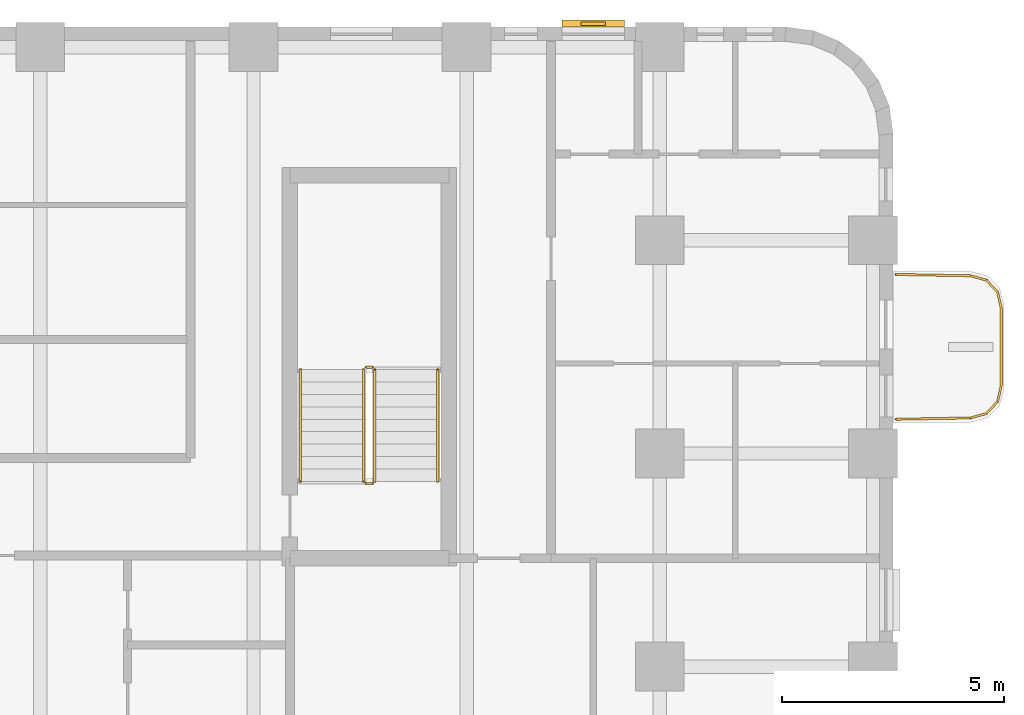
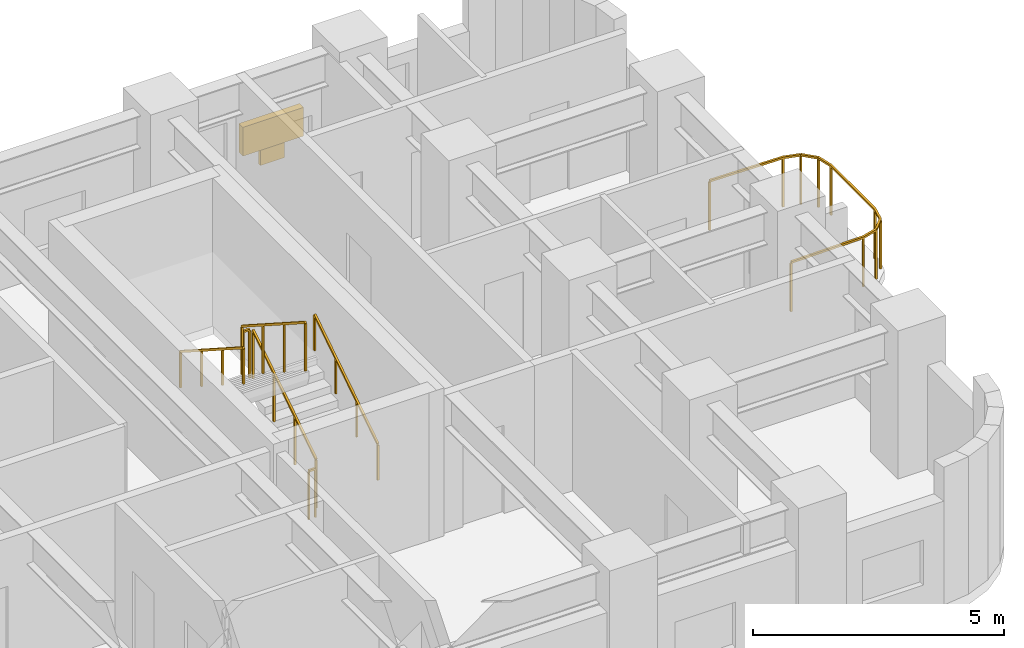
# One storey, part 10 of 10: 7 railings, 2 shading devices.
"""IFC4 building model written with IfcOpenShell, lengths in metres."""

from ifc_helpers import new_model, si_unit, direction, frame, origin, origin_2d, place, context, subcontext, project, spatial, rectangle, extrude, material, type_object, element, save


model = new_model("IFC4")

# Units and contexts
model_context = context("Model", 3, precision=1e-05, world=origin(), true_north=direction((0.0, 1.0)))
body_context = subcontext(model_context, "Body", "Model", "MODEL_VIEW")
ifc_project = project(units=[si_unit("LENGTHUNIT", "METRE"), si_unit("AREAUNIT", "SQUARE_METRE"), si_unit("VOLUMEUNIT", "CUBIC_METRE"), si_unit("PLANEANGLEUNIT", "RADIAN"), si_unit("MASSUNIT", "GRAM", prefix="KILO")], contexts=[model_context])

# Site, building, storey
site_placement = place(None, origin())
site = spatial("IfcSite", under=ifc_project, at=site_placement, CompositionType="ELEMENT")
building_placement = place(site_placement, origin())
building = spatial("IfcBuilding", under=site, at=building_placement, Name="Orvandelia Arch Residences", CompositionType="ELEMENT")
storey_placement = place(building_placement, frame((0.0, 0.0, 68.199951171875)))
storey = spatial("IfcBuildingStorey", under=building, at=storey_placement, Name="L17", CompositionType="ELEMENT", Elevation=68.199951171875)

# Railings
ifc_material_1 = material(Name="Marine-Grade Stainless Steel 316", Category="steel")
railing_type_1 = type_object("IfcRailingType", Name="GRD-BAL-1200", PredefinedType="BALUSTRADE", material=ifc_material_1)
railing_1_placement = place(storey_placement, frame((57.671875, 39.169677734375, 0.0)))
element("IfcRailing", 1, at=railing_1_placement, inside=storey, type_object=railing_type_1, Name="Safety Balustrade Guard GRD-L17-BAL-L17-E1-1", PredefinedType="BALUSTRADE", context=body_context, shape_type="SweptSolid", body=[
    extrude(rectangle(XDim=0.048095703125, YDim=0.048095703125, at=origin_2d()), frame((0.0, 0.0, 1.19580078125), z_axis=(0.999837384468, 0.018033430643, 0.0), x_axis=(-0.018033430643, 0.999837384468, 0.0)), (0.0, 0.0, 1.0), 1.6787109375),
    extrude(rectangle(XDim=0.048095703125, YDim=0.048095703125, at=origin_2d()), frame((1.678466796875, 0.0302734375, 1.19580078125), z_axis=(0.963441293861, 0.267919527627, 0.0), x_axis=(-0.267919527627, 0.963441293861, 0.0)), (0.0, 0.0, 1.0), 0.365478515625),
    extrude(rectangle(XDim=0.048095703125, YDim=0.048095703125, at=origin_2d()), frame((2.030517578125, 0.128173828125, 1.19580078125), z_axis=(0.688296224633, 0.725429739642, 0.0), x_axis=(-0.725429739642, 0.688296224633, 0.0)), (0.0, 0.0, 1.0), 0.3681640625),
    extrude(rectangle(XDim=0.048095703125, YDim=0.048095703125, at=origin_2d()), frame((2.283935546875, 0.395263671875, 1.19580078125), z_axis=(0.221225034864, 0.975222786828, 0.0), x_axis=(-0.975222786828, 0.221225034864, 0.0)), (0.0, 0.0, 1.0), 0.373046875),
    extrude(rectangle(XDim=0.048095703125, YDim=0.048095703125, at=origin_2d()), frame((2.366455078125, 0.759033203125, 1.19580078125), z_axis=(0.0, 1.0, 0.0), x_axis=(-1.0, 0.0, 0.0)), (0.0, 0.0, 1.0), 1.74267578125),
    extrude(rectangle(XDim=0.048095703125, YDim=0.048095703125, at=origin_2d()), frame((2.366455078125, 2.501708984375, 1.19580078125), z_axis=(-0.221225034864, 0.975222786828, 0.0), x_axis=(-0.975222786828, -0.221225034864, 0.0)), (0.0, 0.0, 1.0), 0.373046875),
    extrude(rectangle(XDim=0.048095703125, YDim=0.048095703125, at=origin_2d()), frame((2.283935546875, 2.865478515625, 1.19580078125), z_axis=(-0.688627404251, 0.725115368831, 0.0), x_axis=(-0.725115368831, -0.688627404251, 0.0)), (0.0, 0.0, 1.0), 0.367919921875),
    extrude(rectangle(XDim=0.048095703125, YDim=0.048095703125, at=origin_2d()), frame((2.030517578125, 3.13232421875, 1.19580078125), z_axis=(-0.963441293861, 0.267919527627, 0.0), x_axis=(-0.267919527627, -0.963441293861, 0.0)), (0.0, 0.0, 1.0), 0.365478515625),
    extrude(rectangle(XDim=0.048095703125, YDim=0.048095703125, at=origin_2d()), frame((1.678466796875, 3.230224609375, 1.19580078125), z_axis=(-0.999834751713, 0.018178813668, 0.0), x_axis=(-0.018178813668, -0.999834751713, 0.0)), (0.0, 0.0, 1.0), 1.6787109375),
    extrude(rectangle(XDim=0.0419921875, YDim=0.0419921875, at=origin_2d()), origin(), (0.0, 0.0, 1.0), 1.171875),
    extrude(rectangle(XDim=0.0419921875, YDim=0.0419921875, at=origin_2d()), frame((1.678466796875, 0.0302734375, 0.0)), (0.0, 0.0, 1.0), 1.171875),
    extrude(rectangle(XDim=0.0419921875, YDim=0.0419921875, at=origin_2d()), frame((2.030517578125, 0.128173828125, 0.0)), (0.0, 0.0, 1.0), 1.171875),
    extrude(rectangle(XDim=0.0419921875, YDim=0.0419921875, at=origin_2d()), frame((2.283935546875, 0.395263671875, 0.0)), (0.0, 0.0, 1.0), 1.171875),
    extrude(rectangle(XDim=0.0419921875, YDim=0.0419921875, at=origin_2d()), frame((2.366455078125, 0.759033203125, 0.0)), (0.0, 0.0, 1.0), 1.171875),
    extrude(rectangle(XDim=0.0419921875, YDim=0.0419921875, at=origin_2d()), frame((2.366455078125, 2.501708984375, 0.0)), (0.0, 0.0, 1.0), 1.171875),
    extrude(rectangle(XDim=0.0419921875, YDim=0.0419921875, at=origin_2d()), frame((2.283935546875, 2.865478515625, 0.0)), (0.0, 0.0, 1.0), 1.171875),
    extrude(rectangle(XDim=0.0419921875, YDim=0.0419921875, at=origin_2d()), frame((2.030517578125, 3.13232421875, 0.0)), (0.0, 0.0, 1.0), 1.171875),
    extrude(rectangle(XDim=0.0419921875, YDim=0.0419921875, at=origin_2d()), frame((1.678466796875, 3.230224609375, 0.0)), (0.0, 0.0, 1.0), 1.171875),
    extrude(rectangle(XDim=0.0419921875, YDim=0.0419921875, at=origin_2d()), frame((0.0, 3.2607421875, 0.0)), (0.0, 0.0, 1.0), 1.171875),
])
ifc_material_2 = material(Name="Brushed Stainless Steel 304", Category="steel")
railing_type_2 = type_object("IfcRailingType", Name="RL-STAIR-GD1120", PredefinedType="GUARDRAIL", material=ifc_material_2)
railing_2_placement = place(storey_placement, frame((45.929931640625, 37.77001953125, 0.179931640625)))
element("IfcRailing", 2, at=railing_2_placement, inside=storey, type_object=railing_type_2, Name="L17 ST-3 stair guard 1", PredefinedType="GUARDRAIL", context=body_context, shape_type="SweptSolid", body=[
    extrude(rectangle(XDim=0.048095703125, YDim=0.048095703125, at=origin_2d()), frame((0.0, 0.0, 1.17578125), z_axis=(0.0, 0.841162588446, 0.540782303519), x_axis=(-1.0, 0.0, 0.0)), (0.0, 0.0, 1.0), 2.995849609375),
    extrude(rectangle(XDim=0.0419921875, YDim=0.0419921875, at=origin_2d()), origin(), (0.0, 0.0, 1.0), 1.15185546875),
    extrude(rectangle(XDim=0.0419921875, YDim=0.0419921875, at=origin_2d()), frame((0.0, 0.840087890625, 0.5400390625)), (0.0, 0.0, 1.0), 1.15185546875),
    extrude(rectangle(XDim=0.0419921875, YDim=0.0419921875, at=origin_2d()), frame((0.0, 1.679931640625, 1.080078125)), (0.0, 0.0, 1.0), 1.15185546875),
    extrude(rectangle(XDim=0.0419921875, YDim=0.0419921875, at=origin_2d()), frame((0.0, 2.52001953125, 1.6201171875)), (0.0, 0.0, 1.0), 1.15185546875),
])
railing_3_placement = place(storey_placement, frame((45.8798828125, 40.340087890625, 1.800048828125)))
element("IfcRailing", 3, at=railing_3_placement, inside=storey, type_object=railing_type_2, Name="L17 ST-3 stair guard 2", PredefinedType="GUARDRAIL", context=body_context, shape_type="SweptSolid", body=[
    extrude(rectangle(XDim=0.048095703125, YDim=0.048095703125, at=origin_2d()), frame((0.0, 0.0, 1.17578125), z_axis=(-1.0, 0.0, 0.0), x_axis=(0.0, -1.0, 0.0)), (0.0, 0.0, 1.0), 0.14990234375),
    extrude(rectangle(XDim=0.0419921875, YDim=0.0419921875, at=origin_2d()), origin(), (0.0, 0.0, 1.0), 1.15185546875),
    extrude(rectangle(XDim=0.0419921875, YDim=0.0419921875, at=origin_2d()), frame((-0.14990234375, 0.0, 0.0)), (0.0, 0.0, 1.0), 1.15185546875),
])
railing_4_placement = place(storey_placement, frame((45.679931640625, 40.2900390625, 1.97998046875)))
element("IfcRailing", 4, at=railing_4_placement, inside=storey, type_object=railing_type_2, Name="L17 ST-3 stair guard 3", PredefinedType="GUARDRAIL", context=body_context, shape_type="SweptSolid", body=[
    extrude(rectangle(XDim=0.048095703125, YDim=0.048095703125, at=origin_2d()), frame((0.0, 0.0, 1.17578125), z_axis=(0.0, -0.841162588446, 0.540782303519), x_axis=(1.0, 0.0, 0.0)), (0.0, 0.0, 1.0), 2.995849609375),
    extrude(rectangle(XDim=0.0419921875, YDim=0.0419921875, at=origin_2d()), origin(), (0.0, 0.0, 1.0), 1.15185546875),
    extrude(rectangle(XDim=0.0419921875, YDim=0.0419921875, at=origin_2d()), frame((0.0, -0.840087890625, 0.5400390625)), (0.0, 0.0, 1.0), 1.15185546875),
    extrude(rectangle(XDim=0.0419921875, YDim=0.0419921875, at=origin_2d()), frame((0.0, -1.679931640625, 1.080078125)), (0.0, 0.0, 1.0), 1.15185546875),
    extrude(rectangle(XDim=0.0419921875, YDim=0.0419921875, at=origin_2d()), frame((0.0, -2.52001953125, 1.6201171875)), (0.0, 0.0, 1.0), 1.15185546875),
])
railing_5_placement = place(storey_placement, frame((45.8798828125, 37.719970703125, 0.0)))
element("IfcRailing", 5, at=railing_5_placement, inside=storey, type_object=railing_type_2, Name="L17 ST-3 stair guard 4", PredefinedType="GUARDRAIL", context=body_context, shape_type="SweptSolid", body=[
    extrude(rectangle(XDim=0.048095703125, YDim=0.048095703125, at=origin_2d()), frame((0.0, 0.0, 1.17578125), z_axis=(-1.0, 0.0, 0.0), x_axis=(0.0, -1.0, 0.0)), (0.0, 0.0, 1.0), 0.14990234375),
    extrude(rectangle(XDim=0.0419921875, YDim=0.0419921875, at=origin_2d()), origin(), (0.0, 0.0, 1.0), 1.15185546875),
    extrude(rectangle(XDim=0.0419921875, YDim=0.0419921875, at=origin_2d()), frame((-0.14990234375, 0.0, 0.0)), (0.0, 0.0, 1.0), 1.15185546875),
])
railing_type_3 = type_object("IfcRailingType", Name="RL-STAIR-HR920", PredefinedType="HANDRAIL", material=ifc_material_2)
railing_6_placement = place(storey_placement, frame((47.35009765625, 37.77001953125, 0.360107421875)))
element("IfcRailing", 6, at=railing_6_placement, inside=storey, type_object=railing_type_3, Name="L17 ST-3 stair handrail 1", PredefinedType="HANDRAIL", context=body_context, shape_type="SweptSolid", body=[
    extrude(rectangle(XDim=0.048095703125, YDim=0.048095703125, at=origin_2d()), frame((0.0, 0.0, 0.8759765625), z_axis=(0.0, 0.841199657755, 0.540724639528), x_axis=(-1.0, 0.0, 0.0)), (0.0, 0.0, 1.0), 2.995849609375),
    extrude(rectangle(XDim=0.0419921875, YDim=0.0419921875, at=origin_2d()), origin(), (0.0, 0.0, 1.0), 0.851806640625),
    extrude(rectangle(XDim=0.0419921875, YDim=0.0419921875, at=origin_2d()), frame((0.0, 0.840087890625, 0.5400390625)), (0.0, 0.0, 1.0), 0.851806640625),
    extrude(rectangle(XDim=0.0419921875, YDim=0.0419921875, at=origin_2d()), frame((0.0, 1.679931640625, 1.079833984375)), (0.0, 0.0, 1.0), 0.851806640625),
    extrude(rectangle(XDim=0.0419921875, YDim=0.0419921875, at=origin_2d()), frame((0.0, 2.52001953125, 1.619873046875)), (0.0, 0.0, 1.0), 0.851806640625),
])
railing_7_placement = place(storey_placement, frame((44.260009765625, 40.2900390625, 2.16015625)))
element("IfcRailing", 7, at=railing_7_placement, inside=storey, type_object=railing_type_3, Name="L17 ST-3 stair handrail 2", PredefinedType="HANDRAIL", context=body_context, shape_type="SweptSolid", body=[
    extrude(rectangle(XDim=0.048095703125, YDim=0.048095703125, at=origin_2d()), frame((0.0, 0.0, 0.8759765625), z_axis=(0.0, -0.841199657755, 0.540724639528), x_axis=(1.0, 0.0, 0.0)), (0.0, 0.0, 1.0), 2.995849609375),
    extrude(rectangle(XDim=0.0419921875, YDim=0.0419921875, at=origin_2d()), origin(), (0.0, 0.0, 1.0), 0.851806640625),
    extrude(rectangle(XDim=0.0419921875, YDim=0.0419921875, at=origin_2d()), frame((0.0, -0.840087890625, 0.5400390625)), (0.0, 0.0, 1.0), 0.851806640625),
    extrude(rectangle(XDim=0.0419921875, YDim=0.0419921875, at=origin_2d()), frame((0.0, -1.679931640625, 1.079833984375)), (0.0, 0.0, 1.0), 0.851806640625),
    extrude(rectangle(XDim=0.0419921875, YDim=0.0419921875, at=origin_2d()), frame((0.0, -2.52001953125, 1.619873046875)), (0.0, 0.0, 1.0), 0.851806640625),
])

# Shading devices
ifc_material_3 = material(Name="Anodised Champagne-Bronze Extruded Aluminium", Category="aluminium")
shading_device_type_1 = type_object("IfcShadingDeviceType", Name="SHD-JALOUSIE-SCREEN", PredefinedType="JALOUSIE", material=ifc_material_3)
shading_device_1_placement = place(storey_placement, frame((50.85009765625, 48.080078125, 1.05029296875), z_axis=(0.0, 0.0, 1.0), x_axis=(1.0, 0.0, 0.0)))
element("IfcShadingDevice", 8, at=shading_device_1_placement, inside=storey, type_object=shading_device_type_1, Name="Bronze Jalousie Sun-Shade L17-003", PredefinedType="JALOUSIE", context=body_context, shape_type="SweptSolid", body=[
    extrude(rectangle(XDim=1.39990234375, YDim=0.159912109375, at=origin_2d()), origin(), (0.0, 0.0, 1.0), 0.699951171875),
])
ifc_material_4 = material(Name="Marine-Grade Perforated Aluminium Storm Shutter", Category="aluminium")
shading_device_type_2 = type_object("IfcShadingDeviceType", Name="SHD-STORM-SHUTTER", PredefinedType="SHUTTER", material=ifc_material_4)
shading_device_2_placement = place(storey_placement, frame((50.85009765625, 48.080078125, 0.64990234375), z_axis=(0.0, 0.0, 1.0), x_axis=(1.0, 0.0, 0.0)))
element("IfcShadingDevice", 9, at=shading_device_2_placement, inside=storey, type_object=shading_device_type_2, Name="Operable Typhoon Storm Shutter L17-003", PredefinedType="SHUTTER", context=body_context, shape_type="SweptSolid", body=[
    extrude(rectangle(XDim=0.550048828125, YDim=0.080078125, at=origin_2d()), origin(), (0.0, 0.0, 1.0), 1.10009765625),
])

save(model, "model.ifc")
